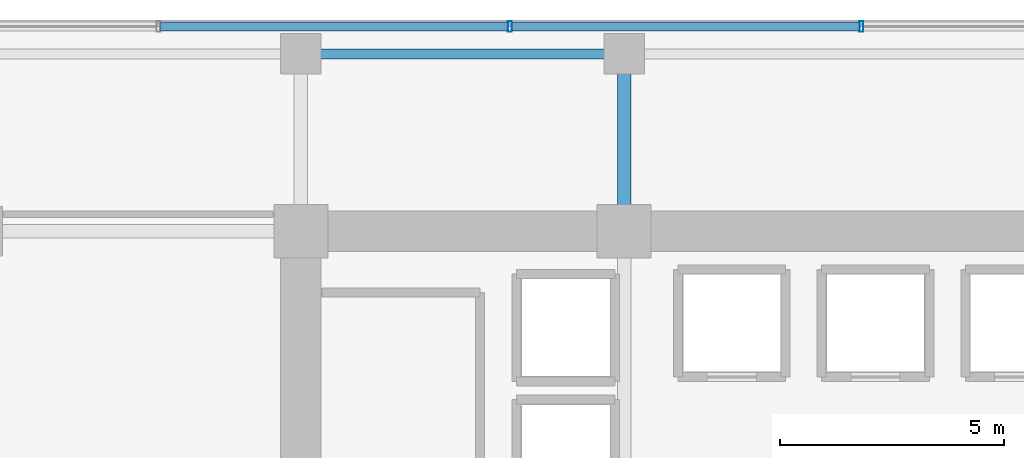
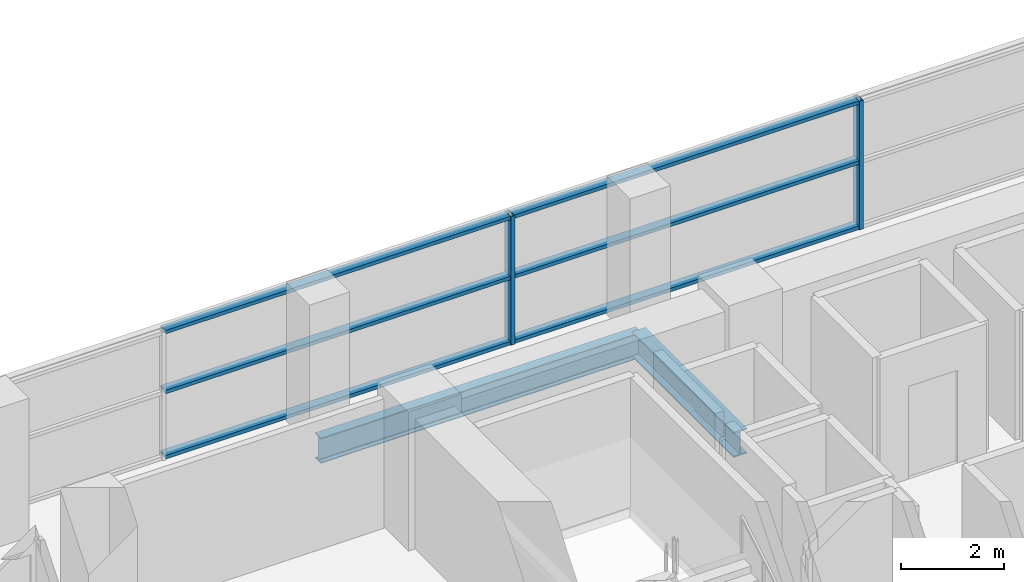
# One storey, part 19 of 31: 8 members, 2 beams, 1 element without a shape of its own.
"""IFC4 building model written with IfcOpenShell, lengths in metres."""

from ifc_helpers import new_model, si_unit, direction, frame, origin, origin_2d, place, context, subcontext, project, spatial, hollow_rectangle, i_section, extrude, source, transform, mapped, material, layer, layer_set, material_profile, profile_set, type_object, element, aggregate, save


model = new_model("IFC4")

# Units and contexts
model_context = context("Model", 3, precision=1e-05, world=origin(), true_north=direction((0.0, 1.0)))
body_context = subcontext(model_context, "Body", "Model", "MODEL_VIEW")
ifc_project = project(units=[si_unit("LENGTHUNIT", "METRE"), si_unit("AREAUNIT", "SQUARE_METRE"), si_unit("VOLUMEUNIT", "CUBIC_METRE"), si_unit("PLANEANGLEUNIT", "RADIAN"), si_unit("MASSUNIT", "GRAM", prefix="KILO")], contexts=[model_context])

# Site, building, storey
site_placement = place(None, origin())
site = spatial("IfcSite", under=ifc_project, at=site_placement, CompositionType="ELEMENT")
building_placement = place(site_placement, origin())
building = spatial("IfcBuilding", under=site, at=building_placement, Name="Zarnakvel Exchange Tower", CompositionType="ELEMENT")
storey_placement = place(building_placement, frame((0.0, 0.0, 53.800048828125)))
storey = spatial("IfcBuildingStorey", under=building, at=storey_placement, Name="L14", CompositionType="ELEMENT", Elevation=53.800048828125)

# Beams
ifc_material_1 = material(Name="Steel S355", Category="steel")
ifc_material_profile_1 = material_profile(ifc_material_1, i_section(OverallWidth=0.300048828125, OverallDepth=0.60009765625, WebThickness=0.015380859375, FlangeThickness=0.030029296875, FilletRadius=0.027099609375, at=origin_2d()))
ifc_profile_set_1 = profile_set([ifc_material_profile_1], Name="Steel S355")
beam_type_1 = type_object("IfcBeamType", Name="G-04", PredefinedType="BEAM", material=ifc_profile_set_1)
beam_1_placement = place(storey_placement, frame((-7.199951171875, 13.5, -0.525146484375), z_axis=(0.0, 1.0, 0.0), x_axis=(-1.0, 0.0, 0.0)))
element("IfcBeam", 1, at=beam_1_placement, inside=storey, type_object=beam_type_1, Name="L14 Tower N-S Frame Beam", PredefinedType="BEAM", context=body_context, shape_type="SweptSolid", body=[
    extrude(i_section(OverallWidth=0.300048828125, OverallDepth=0.60009765625, WebThickness=0.015380859375, FlangeThickness=0.030029296875, FilletRadius=0.027099609375, at=origin_2d()), origin(), (0.0, 0.0, 1.0), 3.949951171875),
])
ifc_material_profile_2 = material_profile(ifc_material_1, i_section(OverallWidth=0.219970703125, OverallDepth=0.60009765625, WebThickness=0.011962890625, FlangeThickness=0.01904296875, FilletRadius=0.02392578125, at=origin_2d()))
ifc_profile_set_2 = profile_set([ifc_material_profile_2], Name="Steel S355")
beam_type_2 = type_object("IfcBeamType", Name="SP-01", PredefinedType="SPANDREL", material=ifc_profile_set_2)
beam_2_placement = place(storey_placement, frame((-14.39990234375, 17.449951171875, -0.525146484375), z_axis=(1.0, 0.0, 0.0), x_axis=(0.0, 1.0, 0.0)))
element("IfcBeam", 2, at=beam_2_placement, inside=storey, type_object=beam_type_2, Name="L14 Tower E-W Frame Beam", PredefinedType="SPANDREL", context=body_context, shape_type="SweptSolid", body=[
    extrude(i_section(OverallWidth=0.219970703125, OverallDepth=0.60009765625, WebThickness=0.011962890625, FlangeThickness=0.01904296875, FilletRadius=0.02392578125, at=origin_2d()), origin(), (0.0, 0.0, 1.0), 7.199951171875),
])

# Curtain wall, members
ifc_material_2 = material(Name="Architectural Bronze Anodised Aluminium", Category="aluminium")
ifc_layer = layer(ifc_material_2, 0.239990234375)
ifc_layer_set = layer_set([ifc_layer], Name="Architectural Bronze Anodised Aluminium")
curtain_wall_type = type_object("IfcCurtainWallType", Name="CW-02", PredefinedType="NOTDEFINED", material=ifc_layer_set)
curtain_wall_placement = place(storey_placement, origin())
curtain_wall = element("IfcCurtainWall", 3, at=curtain_wall_placement, inside=storey, type_object=curtain_wall_type, Name="L14 Curtain Wall CW-L14-N1 (CW-02)", PredefinedType="NOTDEFINED")
ifc_material_profile_3 = material_profile(ifc_material_2, hollow_rectangle(XDim=0.199951171875, YDim=0.0849609375, WallThickness=0.0048828125, at=origin_2d()))
ifc_profile_set_3 = profile_set([ifc_material_profile_3], Name="Architectural Bronze Anodised Aluminium")
member_type_1 = type_object("IfcMemberType", Name="CWT-02", PredefinedType="USERDEFINED", material=ifc_profile_set_3)
shared_shape_1 = source(origin(), body_context, "Body", "SweptSolid", [
    extrude(hollow_rectangle(XDim=0.199951171875, YDim=0.0849609375, WallThickness=0.0048828125, at=origin_2d()), origin(), (0.0, 0.0, 1.0), 7.738525390625),
])
member_1_placement = place(storey_placement, frame((-17.5263671875, 18.06005859375, 0.04248046875), z_axis=(1.0, 0.0, 0.0), x_axis=(0.0, 1.0, 0.0)))
member_1 = element("IfcMember", 4, at=member_1_placement, type_object=member_type_1, Name="CW-02 transom 2.1", ObjectType="TRANSOM", PredefinedType="USERDEFINED", context=body_context, shape_type="MappedRepresentation", body=[
    mapped(shared_shape_1, transform((0.0, 0.0, 0.0), x_axis=(1.0, 0.0, 0.0), y_axis=(0.0, 1.0, 0.0), z_axis=(0.0, 0.0, 1.0), scale=1.0)),
])
member_2_placement = place(storey_placement, frame((-17.5263671875, 18.06005859375, 1.588623046875), z_axis=(1.0, 0.0, 0.0), x_axis=(0.0, 1.0, 0.0)))
member_2 = element("IfcMember", 5, at=member_2_placement, type_object=member_type_1, Name="CW-02 transom 2.2", ObjectType="TRANSOM", PredefinedType="USERDEFINED", context=body_context, shape_type="MappedRepresentation", body=[
    mapped(shared_shape_1, transform((0.0, 0.0, 0.0), x_axis=(1.0, 0.0, 0.0), y_axis=(0.0, 1.0, 0.0), z_axis=(0.0, 0.0, 1.0), scale=1.0)),
])
member_3_placement = place(storey_placement, frame((-17.5263671875, 18.06005859375, 3.012451171875), z_axis=(1.0, 0.0, 0.0), x_axis=(0.0, 1.0, 0.0)))
member_3 = element("IfcMember", 6, at=member_3_placement, type_object=member_type_1, Name="CW-02 transom 2.3", ObjectType="TRANSOM", PredefinedType="USERDEFINED", context=body_context, shape_type="MappedRepresentation", body=[
    mapped(shared_shape_1, transform((0.0, 0.0, 0.0), x_axis=(1.0, 0.0, 0.0), y_axis=(0.0, 1.0, 0.0), z_axis=(0.0, 0.0, 1.0), scale=1.0)),
])
member_4_placement = place(storey_placement, frame((-9.69775390625, 18.06005859375, 0.04248046875), z_axis=(1.0, 0.0, 0.0), x_axis=(0.0, 1.0, 0.0)))
member_4 = element("IfcMember", 7, at=member_4_placement, type_object=member_type_1, Name="CW-02 transom 3.1", ObjectType="TRANSOM", PredefinedType="USERDEFINED", context=body_context, shape_type="MappedRepresentation", body=[
    mapped(shared_shape_1, transform((0.0, 0.0, 0.0), x_axis=(1.0, 0.0, 0.0), y_axis=(0.0, 1.0, 0.0), z_axis=(0.0, 0.0, 1.0), scale=1.0)),
])
member_5_placement = place(storey_placement, frame((-9.69775390625, 18.06005859375, 1.588623046875), z_axis=(1.0, 0.0, 0.0), x_axis=(0.0, 1.0, 0.0)))
member_5 = element("IfcMember", 8, at=member_5_placement, type_object=member_type_1, Name="CW-02 transom 3.2", ObjectType="TRANSOM", PredefinedType="USERDEFINED", context=body_context, shape_type="MappedRepresentation", body=[
    mapped(shared_shape_1, transform((0.0, 0.0, 0.0), x_axis=(1.0, 0.0, 0.0), y_axis=(0.0, 1.0, 0.0), z_axis=(0.0, 0.0, 1.0), scale=1.0)),
])
member_6_placement = place(storey_placement, frame((-9.69775390625, 18.06005859375, 3.012451171875), z_axis=(1.0, 0.0, 0.0), x_axis=(0.0, 1.0, 0.0)))
member_6 = element("IfcMember", 9, at=member_6_placement, type_object=member_type_1, Name="CW-02 transom 3.3", ObjectType="TRANSOM", PredefinedType="USERDEFINED", context=body_context, shape_type="MappedRepresentation", body=[
    mapped(shared_shape_1, transform((0.0, 0.0, 0.0), x_axis=(1.0, 0.0, 0.0), y_axis=(0.0, 1.0, 0.0), z_axis=(0.0, 0.0, 1.0), scale=1.0)),
])
ifc_material_profile_4 = material_profile(ifc_material_2, hollow_rectangle(XDim=0.239990234375, YDim=0.090087890625, WallThickness=0.006103515625, at=origin_2d()))
ifc_profile_set_4 = profile_set([ifc_material_profile_4], Name="Architectural Bronze Anodised Aluminium")
member_type_2 = type_object("IfcMemberType", Name="CWM-02", PredefinedType="MULLION", material=ifc_profile_set_4)
shared_shape_2 = source(origin(), body_context, "Body", "SweptSolid", [
    extrude(hollow_rectangle(XDim=0.239990234375, YDim=0.090087890625, WallThickness=0.006103515625, at=origin_2d()), origin(), (0.0, 0.0, 1.0), 3.054931640625),
])
member_7_placement = place(storey_placement, frame((-9.742919921875, 18.06005859375, 0.0), z_axis=(0.0, 0.0, 1.0), x_axis=(0.0, 1.0, 0.0)))
member_7 = element("IfcMember", 10, at=member_7_placement, type_object=member_type_2, Name="CW-02 mullion 3", PredefinedType="MULLION", context=body_context, shape_type="MappedRepresentation", body=[
    mapped(shared_shape_2, transform((0.0, 0.0, 0.0), x_axis=(1.0, 0.0, 0.0), y_axis=(0.0, 1.0, 0.0), z_axis=(0.0, 0.0, 1.0), scale=1.0)),
])
member_8_placement = place(storey_placement, frame((-1.914306640625, 18.06005859375, 0.0), z_axis=(0.0, 0.0, 1.0), x_axis=(0.0, 1.0, 0.0)))
member_8 = element("IfcMember", 11, at=member_8_placement, type_object=member_type_2, Name="CW-02 mullion 4", PredefinedType="MULLION", context=body_context, shape_type="MappedRepresentation", body=[
    mapped(shared_shape_2, transform((0.0, 0.0, 0.0), x_axis=(1.0, 0.0, 0.0), y_axis=(0.0, 1.0, 0.0), z_axis=(0.0, 0.0, 1.0), scale=1.0)),
])
aggregate(curtain_wall, [member_7, member_8, member_1, member_2, member_3, member_4, member_5, member_6])

save(model, "model.ifc")
